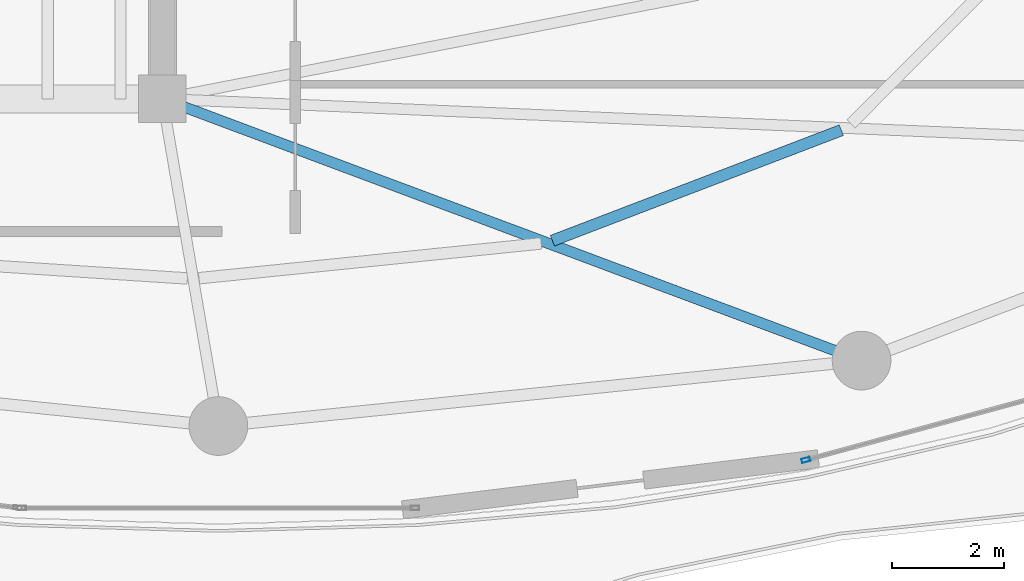
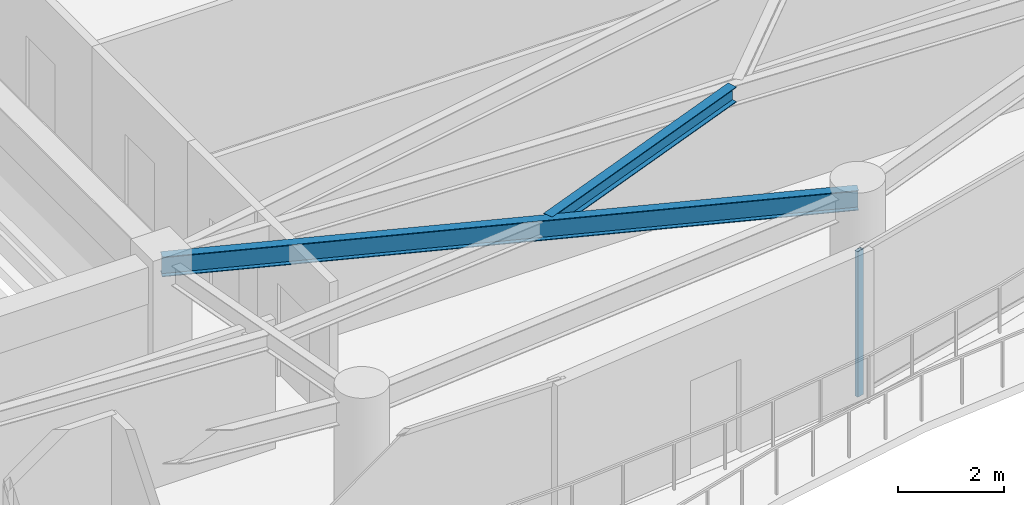
# One storey, part 10 of 29: 2 beams, 1 member, 1 element without a shape of its own.
"""IFC4 building model written with IfcOpenShell, lengths in metres."""

from ifc_helpers import new_model, si_unit, direction, frame, origin, origin_2d, place, context, subcontext, project, spatial, hollow_rectangle, i_section, extrude, material, layer, layer_set, material_profile, profile_set, type_object, element, aggregate, save


model = new_model("IFC4")

# Units and contexts
model_context = context("Model", 3, precision=1e-05, world=origin(), true_north=direction((0.0, 1.0)))
body_context = subcontext(model_context, "Body", "Model", "MODEL_VIEW")
ifc_project = project(units=[si_unit("LENGTHUNIT", "METRE"), si_unit("AREAUNIT", "SQUARE_METRE"), si_unit("VOLUMEUNIT", "CUBIC_METRE"), si_unit("PLANEANGLEUNIT", "RADIAN"), si_unit("MASSUNIT", "GRAM", prefix="KILO")], contexts=[model_context])

# Site, building, storey
site_placement = place(None, origin())
site = spatial("IfcSite", under=ifc_project, at=site_placement, CompositionType="ELEMENT")
building_placement = place(site_placement, origin())
building = spatial("IfcBuilding", under=site, at=building_placement, Name="Kazevale Care Tower and Concert Hall", CompositionType="ELEMENT")
storey_placement = place(building_placement, frame((0.0, 0.0, 224.39990234375)))
storey = spatial("IfcBuildingStorey", under=building, at=storey_placement, Name="L59", CompositionType="ELEMENT", Elevation=224.39990234375)

# Curtain wall, member
ifc_material_1 = material(Name="Aluminium 6063-T6 and Low-E Glass", Category="aluminium")
ifc_layer = layer(ifc_material_1, 0.179931640625)
ifc_layer_set = layer_set([ifc_layer], Name="Aluminium 6063-T6 and Low-E Glass")
curtain_wall_type = type_object("IfcCurtainWallType", Name="Sheltered Concave Balcony Curtain Wall CW-5", PredefinedType="NOTDEFINED", material=ifc_layer_set)
curtain_wall_placement = place(storey_placement, origin())
curtain_wall = element("IfcCurtainWall", 1, at=curtain_wall_placement, inside=storey, type_object=curtain_wall_type, Name="cw:L59:f04", PredefinedType="NOTDEFINED")
ifc_material_2 = material(Name="Aluminium 6063-T6", Category="aluminium")
ifc_material_profile_1 = material_profile(ifc_material_2, hollow_rectangle(XDim=0.074951171875, YDim=0.14990234375, WallThickness=0.00390625, at=origin_2d()), Name="ALU75x150x4")
ifc_profile_set_1 = profile_set([ifc_material_profile_1], Name="Aluminium 6063-T6")
member_type = type_object("IfcMemberType", Name="CW-5 Mullion ALU75x150x4", PredefinedType="MULLION", material=ifc_profile_set_1)
member_placement = place(storey_placement, frame((55.505126953125, 17.142822265625, 0.0), z_axis=(0.0, 0.0, 1.0), x_axis=(0.262848968947, -0.964836991167, 0.0)))
member = element("IfcMember", 2, at=member_placement, type_object=member_type, Name="CW-5 mullion 2", PredefinedType="MULLION", context=body_context, shape_type="SweptSolid", body=[
    extrude(hollow_rectangle(XDim=0.074951171875, YDim=0.14990234375, WallThickness=0.00390625, at=origin_2d()), origin(), (0.0, 0.0, 1.0), 3.360107421875),
])
aggregate(curtain_wall, [member])

# Beams
ifc_material_3 = material(Name="Steel ASTM A572 Gr 50", Category="steel")
ifc_material_profile_2 = material_profile(ifc_material_3, i_section(OverallWidth=0.19091796875, OverallDepth=0.4599609375, WebThickness=0.010009765625, FlangeThickness=0.01611328125, at=origin_2d()), Name="W460x82")
ifc_profile_set_2 = profile_set([ifc_material_profile_2], Name="Steel ASTM A572 Gr 50")
beam_type_1 = type_object("IfcBeamType", Name="Radial Floor Beam W460x82", PredefinedType="BEAM", material=ifc_profile_set_2)
beam_1_placement = place(storey_placement, frame((44.0, 23.60009765625, 3.130126953125), z_axis=(0.936509460339, -0.350642311615, 0.0), x_axis=(0.350642311615, 0.936509460339, 0.0)))
element("IfcBeam", 3, at=beam_1_placement, inside=storey, type_object=beam_type_1, Name="beam:L59:rad:14", PredefinedType="BEAM", context=body_context, shape_type="SweptSolid", body=[
    extrude(i_section(OverallWidth=0.19091796875, OverallDepth=0.4599609375, WebThickness=0.010009765625, FlangeThickness=0.01611328125, at=origin_2d()), origin(), (0.0, 0.0, 1.0), 13.347412109375),
])
ifc_material_profile_3 = material_profile(ifc_material_3, i_section(OverallWidth=0.205078125, OverallDepth=0.35400390625, WebThickness=0.009521484375, FlangeThickness=0.016845703125, at=origin_2d()), Name="W360x79")
ifc_profile_set_3 = profile_set([ifc_material_profile_3], Name="Steel ASTM A572 Gr 50")
beam_type_2 = type_object("IfcBeamType", Name="Secondary Floor Joist W360x79", PredefinedType="JOIST", material=ifc_profile_set_3)
beam_2_placement = place(storey_placement, frame((50.972900390625, 21.06396484375, 3.18310546875), z_axis=(0.934001589337, 0.35726884991, 0.0), x_axis=(-0.35726884991, 0.934001589337, 0.0)))
element("IfcBeam", 4, at=beam_2_placement, inside=storey, type_object=beam_type_2, Name="beam:L59:joist:14", PredefinedType="JOIST", context=body_context, shape_type="SweptSolid", body=[
    extrude(i_section(OverallWidth=0.205078125, OverallDepth=0.35400390625, WebThickness=0.009521484375, FlangeThickness=0.016845703125, at=origin_2d()), origin(), (0.0, 0.0, 1.0), 5.531005859375),
])

save(model, "model.ifc")
